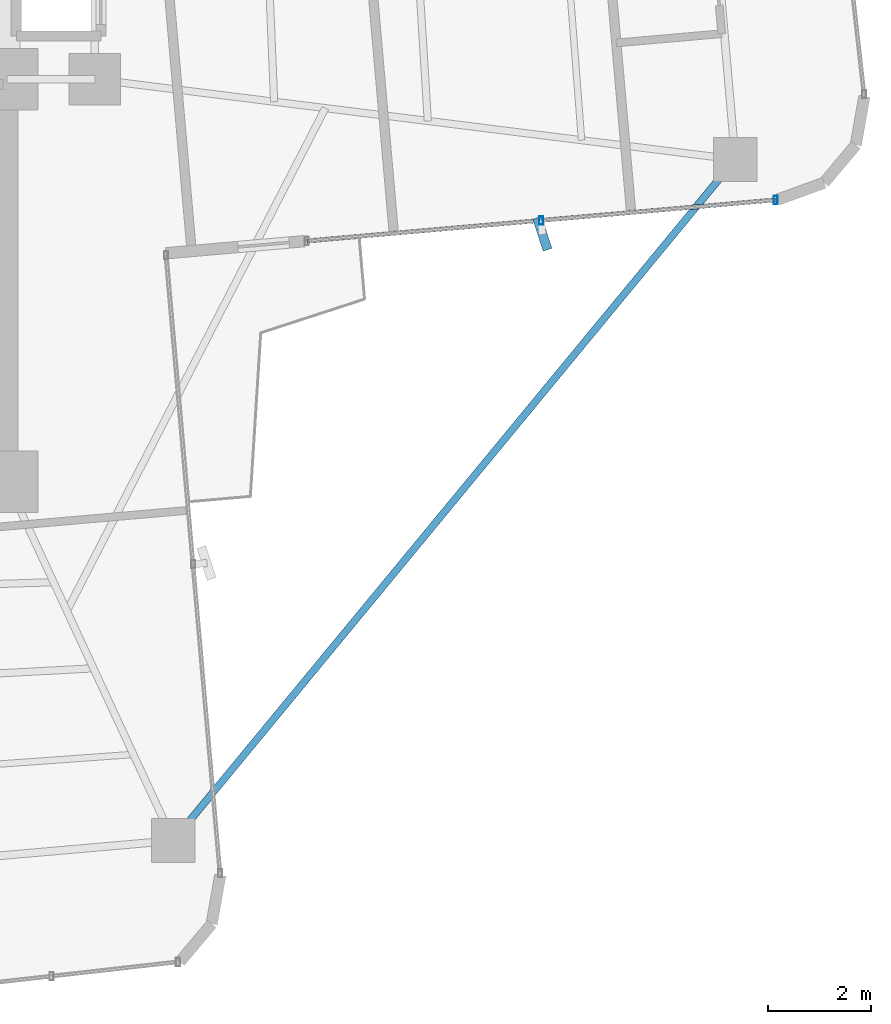
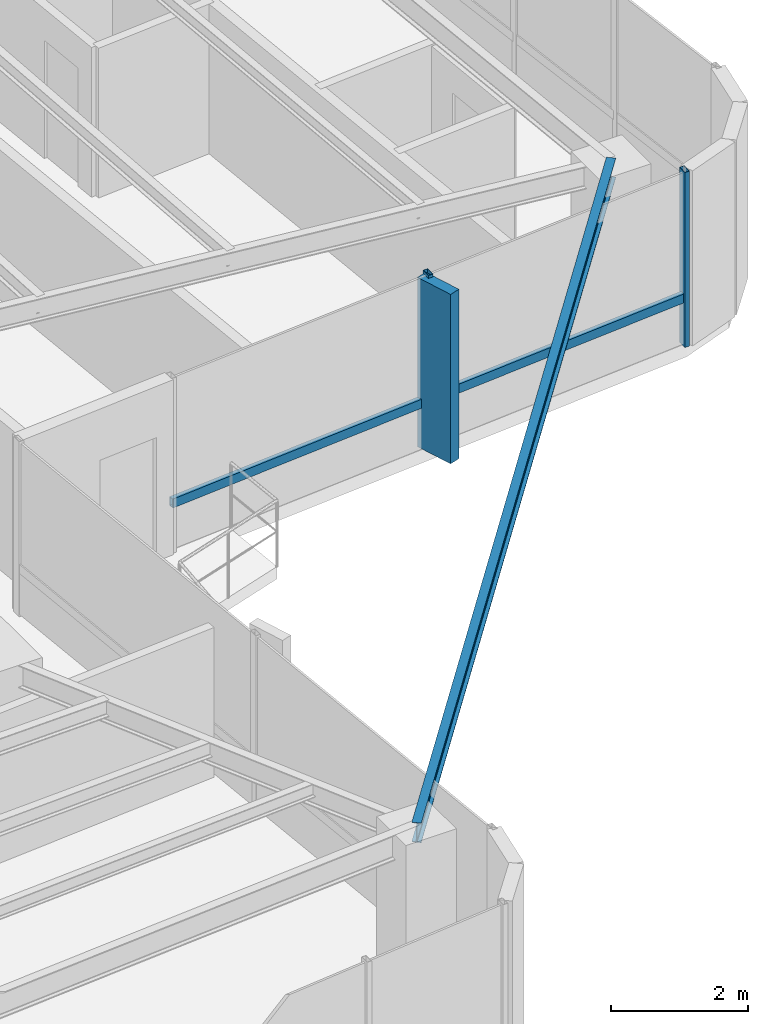
# One storey, part 13 of 24: 5 members, 1 beam, 1 element without a shape of its own.
"""IFC4 building model written with IfcOpenShell, lengths in metres."""

from ifc_helpers import new_model, si_unit, direction, frame, origin, origin_2d, place, context, subcontext, project, spatial, rectangle, hollow_rectangle, i_section, extrude, source, transform, mapped, material, material_profile, profile_set, type_object, element, aggregate, save


model = new_model("IFC4")

# Units and contexts
model_context = context("Model", 3, precision=1e-05, world=origin(), true_north=direction((0.0, 1.0)))
body_context = subcontext(model_context, "Body", "Model", "MODEL_VIEW")
ifc_project = project(units=[si_unit("LENGTHUNIT", "METRE"), si_unit("AREAUNIT", "SQUARE_METRE"), si_unit("VOLUMEUNIT", "CUBIC_METRE"), si_unit("PLANEANGLEUNIT", "RADIAN"), si_unit("MASSUNIT", "GRAM", prefix="KILO")], contexts=[model_context])

# Site, building, storey
site_placement = place(None, origin())
site = spatial("IfcSite", under=ifc_project, at=site_placement, CompositionType="ELEMENT")
building_placement = place(site_placement, origin())
building = spatial("IfcBuilding", under=site, at=building_placement, Name="Sahyath Konkavel Grand Hotel", CompositionType="ELEMENT")
storey_placement = place(building_placement, frame((0.0, 0.0, 178.550048828125)))
storey = spatial("IfcBuildingStorey", under=building, at=storey_placement, Name="L49", CompositionType="ELEMENT", Elevation=178.550048828125)

# Beam
ifc_material_1 = material(Name="Steel E350", Category="steel")
ifc_material_profile_1 = material_profile(ifc_material_1, i_section(OverallWidth=0.139892578125, OverallDepth=0.35009765625, WebThickness=0.008056640625, FlangeThickness=0.01416015625, FilletRadius=0.013916015625, at=origin_2d()), Name="ISMB 350")
ifc_profile_set_1 = profile_set([ifc_material_profile_1], Name="Steel E350")
beam_type = type_object("IfcBeamType", Name="BM-ISMB350", PredefinedType="BEAM", material=ifc_profile_set_1)
shared_shape_1 = source(origin(), body_context, "Body", "SweptSolid", [
    extrude(i_section(OverallWidth=0.139892578125, OverallDepth=0.35009765625, WebThickness=0.008056640625, FlangeThickness=0.01416015625, FilletRadius=0.013916015625, at=origin_2d()), origin(), (0.0, 0.0, 1.0), 17.112548828125),
])
beam_placement = place(storey_placement, frame((17.912841796875, -3.953857421875, 2.93505859375), z_axis=(-0.636437070092, -0.77132863023, 0.0), x_axis=(0.77132863023, -0.636437070092, 0.0)))
element("IfcBeam", 1, at=beam_placement, inside=storey, type_object=beam_type, Name="L49 Re-Entrant Tie Beam SE", PredefinedType="BEAM", context=body_context, shape_type="MappedRepresentation", body=[
    mapped(shared_shape_1, transform((0.0, 0.0, 0.0), scale=1.0)),
])

# Curtain wall, members
ifc_material_2 = material(Name="Anodised Bronze Aluminium & Low-E Glazing", Category="aluminium")
curtain_wall_type = type_object("IfcCurtainWallType", Name="CW-ZONE3", PredefinedType="NOTDEFINED", material=ifc_material_2)
curtain_wall_placement = place(storey_placement, origin())
curtain_wall = element("IfcCurtainWall", 2, at=curtain_wall_placement, inside=storey, type_object=curtain_wall_type, Name="L49 Unitised Curtain Wall F0", PredefinedType="NOTDEFINED")
ifc_material_3 = material(Name="Anodised Bronze Aluminium", Category="aluminium")
ifc_material_profile_2 = material_profile(ifc_material_3, hollow_rectangle(XDim=0.080078125, YDim=0.159912109375, WallThickness=0.006103515625, at=origin_2d()), Name="RHS 160x80x6")
ifc_profile_set_2 = profile_set([ifc_material_profile_2], Name="Anodised Bronze Aluminium")
member_type_1 = type_object("IfcMemberType", Name="CW-MUL-160", PredefinedType="MULLION", material=ifc_profile_set_2)
shared_shape_2 = source(origin(), body_context, "Body", "SweptSolid", [
    extrude(hollow_rectangle(XDim=0.080078125, YDim=0.159912109375, WallThickness=0.006103515625, at=origin_2d()), origin(), (0.0, 0.0, 1.0), 3.10986328125),
])
member_1_placement = place(storey_placement, frame((14.151611328125, -5.135986328125, 0.0), z_axis=(0.0, 0.0, 1.0), x_axis=(1.0, 0.0, 0.0)))
member_1 = element("IfcMember", 3, at=member_1_placement, type_object=member_type_1, Name="L49 Curtain Wall Mullion F0-1", PredefinedType="MULLION", context=body_context, shape_type="MappedRepresentation", body=[
    mapped(shared_shape_2, transform((0.0, 0.0, 0.0), scale=1.0)),
])
member_2_placement = place(storey_placement, frame((18.694091796875, -4.73876953125, 0.0), z_axis=(0.0, 0.0, 1.0), x_axis=(1.0, 0.0, 0.0)))
member_2 = element("IfcMember", 4, at=member_2_placement, type_object=member_type_1, Name="L49 Curtain Wall Mullion F0-2", PredefinedType="MULLION", context=body_context, shape_type="MappedRepresentation", body=[
    mapped(shared_shape_2, transform((0.0, 0.0, 0.0), scale=1.0)),
])
ifc_material_4 = material(Name="Warm Buff Sandstone Cladding on Concrete C50/60", Category="masonry")
ifc_material_profile_3 = material_profile(ifc_material_4, rectangle(XDim=0.179931640625, YDim=0.64990234375, at=origin_2d()), Name="FIN 180x650")
ifc_profile_set_3 = profile_set([ifc_material_profile_3], Name="Warm Buff Sandstone Cladding on Concrete C50/60")
member_type_2 = type_object("IfcMemberType", Name="FIN-SANDSTONE-650", PredefinedType="MULLION", material=ifc_profile_set_3)
shared_shape_3 = source(origin(), body_context, "Body", "SweptSolid", [
    extrude(rectangle(XDim=0.179931640625, YDim=0.64990234375, at=origin_2d()), origin(), (0.0, 0.0, 1.0), 3.010009765625),
])
member_3_placement = place(storey_placement, frame((14.17431640625, -5.39501953125, 0.050048828125), z_axis=(0.0, 0.0, 1.0), x_axis=(0.951487058208, 0.307688768178, 0.0)))
member_3 = element("IfcMember", 5, at=member_3_placement, type_object=member_type_2, Name="L49 Sandstone Vertical Solar Fin FIN F0-1", PredefinedType="MULLION", context=body_context, shape_type="MappedRepresentation", body=[
    mapped(shared_shape_3, transform((0.0, 0.0, 0.0), scale=1.0)),
])
ifc_material_profile_4 = material_profile(ifc_material_3, hollow_rectangle(XDim=0.080078125, YDim=0.159912109375, WallThickness=0.006103515625, at=origin_2d()), Name="RHS 160x80x6")
ifc_profile_set_4 = profile_set([ifc_material_profile_4], Name="Anodised Bronze Aluminium")
member_type_3 = type_object("IfcMemberType", Name="CW-TRN-160", PredefinedType="USERDEFINED", material=ifc_profile_set_4)
shared_shape_4 = source(origin(), body_context, "Body", "SweptSolid", [
    extrude(hollow_rectangle(XDim=0.080078125, YDim=0.159912109375, WallThickness=0.006103515625, at=origin_2d()), origin(), (0.0, 0.0, 1.0), 4.56005859375),
])
member_4_placement = place(storey_placement, frame((9.60888671875, -5.53369140625, 0.849853515625), z_axis=(0.996189590376, 0.087214104516, 0.0), x_axis=(-0.087214104516, 0.996189590376, 0.0)))
member_4 = element("IfcMember", 6, at=member_4_placement, type_object=member_type_3, Name="L49 Curtain Wall Transom F0-0-spandrel", ObjectType="TRANSOM", PredefinedType="USERDEFINED", context=body_context, shape_type="MappedRepresentation", body=[
    mapped(shared_shape_4, transform((0.0, 0.0, 0.0), scale=1.0)),
])
shared_shape_5 = source(origin(), body_context, "Body", "SweptSolid", [
    extrude(hollow_rectangle(XDim=0.080078125, YDim=0.159912109375, WallThickness=0.006103515625, at=origin_2d()), origin(), (0.0, 0.0, 1.0), 4.559814453125),
])
member_5_placement = place(storey_placement, frame((14.151611328125, -5.135986328125, 0.849853515625), z_axis=(0.99619848155, 0.087112486804, 0.0), x_axis=(-0.087112486804, 0.99619848155, 0.0)))
member_5 = element("IfcMember", 7, at=member_5_placement, type_object=member_type_3, Name="L49 Curtain Wall Transom F0-1-spandrel", ObjectType="TRANSOM", PredefinedType="USERDEFINED", context=body_context, shape_type="MappedRepresentation", body=[
    mapped(shared_shape_5, transform((0.0, 0.0, 0.0), scale=1.0)),
])
aggregate(curtain_wall, [member_1, member_3, member_2, member_4, member_5])

save(model, "model.ifc")
